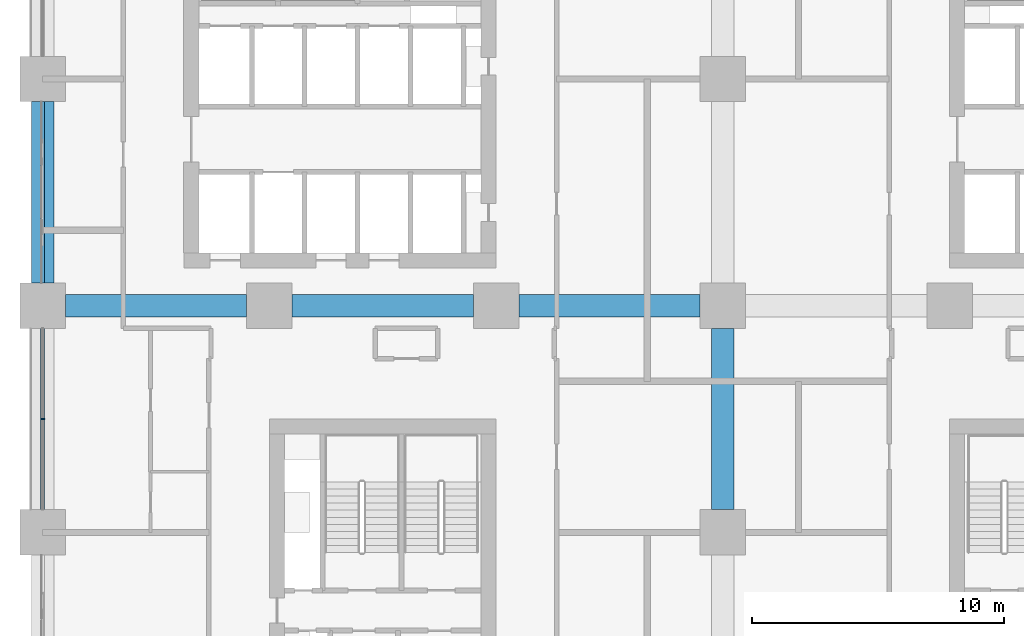
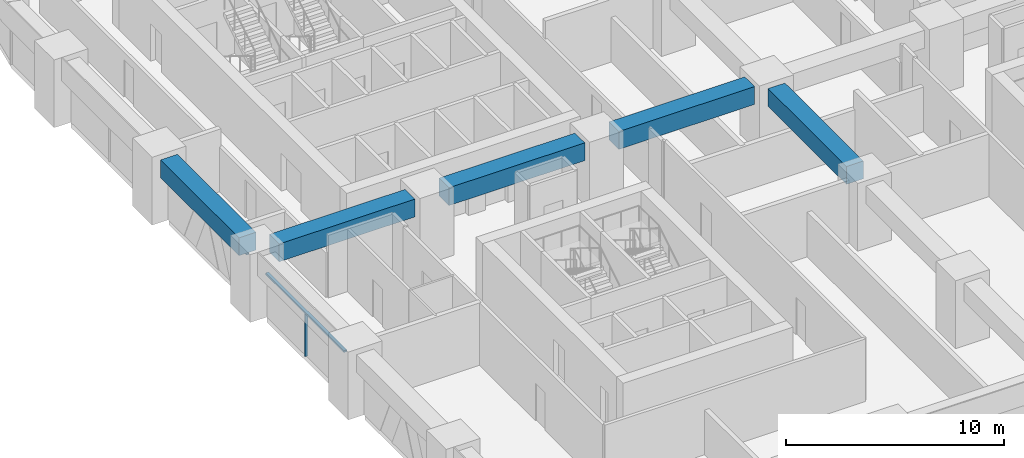
# One storey, part 4 of 21: 5 beams, 3 members, 2 elements without a shape of their own.
"""IFC4 building model written with IfcOpenShell, lengths in metres."""

from ifc_helpers import new_model, si_unit, direction, frame, origin, origin_2d, place, context, subcontext, project, spatial, rectangle, extrude, material, material_profile, profile_set, type_object, element, aggregate, save


model = new_model("IFC4")

# Units and contexts
model_context = context("Model", 3, precision=1e-05, world=origin(), true_north=direction((0.0, 1.0)))
body_context = subcontext(model_context, "Body", "Model", "MODEL_VIEW")
ifc_project = project(units=[si_unit("LENGTHUNIT", "METRE"), si_unit("AREAUNIT", "SQUARE_METRE"), si_unit("VOLUMEUNIT", "CUBIC_METRE"), si_unit("PLANEANGLEUNIT", "RADIAN"), si_unit("MASSUNIT", "GRAM", prefix="KILO")], contexts=[model_context])

# Site, building, storey
site_placement = place(None, origin())
site = spatial("IfcSite", under=ifc_project, at=site_placement, CompositionType="ELEMENT")
building_placement = place(site_placement, origin())
building = spatial("IfcBuilding", under=site, at=building_placement, Name="Tessera Arch", CompositionType="ELEMENT")
storey_placement = place(building_placement, frame((0.0, 0.0, 65.199951171875)))
storey = spatial("IfcBuildingStorey", under=building, at=storey_placement, Name="L14", CompositionType="ELEMENT", Elevation=65.199951171875)

# Curtain wall, members
ifc_material_1 = material(Name="CW1 curtain wall")
curtain_wall_type_1 = type_object("IfcCurtainWallType", Name="CW1 curtain wall", PredefinedType="NOTDEFINED", material=ifc_material_1)
curtain_wall_1_placement = place(storey_placement, origin())
curtain_wall_1 = element("IfcCurtainWall", 1, at=curtain_wall_1_placement, inside=storey, type_object=curtain_wall_type_1, Name="CW1 curtain wall W0.0/3 L14", PredefinedType="NOTDEFINED")
ifc_material_2 = material(Name="Anodised aluminium pale metal", Category="aluminium")
ifc_material_profile_1 = material_profile(ifc_material_2, rectangle(XDim=0.159912109375, YDim=0.06005859375, at=origin_2d()), Name="AL 60x160")
ifc_profile_set_1 = profile_set([ifc_material_profile_1], Name="Anodised aluminium pale metal")
member_type_1 = type_object("IfcMemberType", Name="CW1 mullion", PredefinedType="MULLION", material=ifc_profile_set_1)
member_1_placement = place(storey_placement, frame((0.0, 22.5, 0.0), z_axis=(0.0, 0.0, 1.0), x_axis=(1.0, 0.0, 0.0)))
member_1 = element("IfcMember", 2, at=member_1_placement, type_object=member_type_1, Name="CW1 mullion W0.0/3 1", PredefinedType="MULLION", context=body_context, shape_type="SweptSolid", body=[
    extrude(rectangle(XDim=0.159912109375, YDim=0.06005859375, at=origin_2d()), origin(), (0.0, 0.0, 1.0), 2.400146484375),
])
ifc_material_3 = material(Name="Anodised aluminium pale metal", Category="aluminium")
ifc_material_profile_2 = material_profile(ifc_material_3, rectangle(XDim=0.159912109375, YDim=0.10009765625, at=origin_2d()), Name="AL 160x100")
ifc_profile_set_2 = profile_set([ifc_material_profile_2], Name="Anodised aluminium pale metal")
member_type_2 = type_object("IfcMemberType", Name="CW1 transom", PredefinedType="USERDEFINED", material=ifc_profile_set_2)
member_2_placement = place(storey_placement, frame((0.0, 26.10009765625, 2.449951171875), z_axis=(0.0, -1.0, 0.0), x_axis=(1.0, 0.0, 0.0)))
member_2 = element("IfcMember", 3, at=member_2_placement, type_object=member_type_2, Name="CW1 transom W0.0/3 1.1", ObjectType="TRANSOM", PredefinedType="USERDEFINED", context=body_context, shape_type="SweptSolid", body=[
    extrude(rectangle(XDim=0.159912109375, YDim=0.10009765625, at=origin_2d()), origin(), (0.0, 0.0, 1.0), 7.2001953125),
])
aggregate(curtain_wall_1, [member_1, member_2])

# Curtain wall, member
ifc_material_4 = material(Name="CW3 curtain wall")
curtain_wall_type_2 = type_object("IfcCurtainWallType", Name="CW3 curtain wall", PredefinedType="NOTDEFINED", material=ifc_material_4)
curtain_wall_2_placement = place(storey_placement, origin())
curtain_wall_2 = element("IfcCurtainWall", 4, at=curtain_wall_2_placement, inside=storey, type_object=curtain_wall_type_2, Name="CW3 curtain wall W0.0/2 L14", PredefinedType="NOTDEFINED")
ifc_material_5 = material(Name="Anodised aluminium pale metal", Category="aluminium")
ifc_material_profile_3 = material_profile(ifc_material_5, rectangle(XDim=0.139892578125, YDim=0.10009765625, at=origin_2d()), Name="AL 140x100")
ifc_profile_set_3 = profile_set([ifc_material_profile_3], Name="Anodised aluminium pale metal")
member_type_3 = type_object("IfcMemberType", Name="CW3 transom", PredefinedType="USERDEFINED", material=ifc_profile_set_3)
member_3_placement = place(storey_placement, frame((0.0, 35.10009765625, 2.449951171875), z_axis=(0.0, -1.0, 0.0), x_axis=(1.0, 0.0, 0.0)))
member_3 = element("IfcMember", 5, at=member_3_placement, type_object=member_type_3, Name="CW3 transom W0.0/2 1.1", ObjectType="TRANSOM", PredefinedType="USERDEFINED", context=body_context, shape_type="SweptSolid", body=[
    extrude(rectangle(XDim=0.139892578125, YDim=0.10009765625, at=origin_2d()), origin(), (0.0, 0.0, 1.0), 7.2001953125),
])
aggregate(curtain_wall_2, [member_3])

# Beams
ifc_material_6 = material(Name="Concrete C80/95", Category="concrete")
ifc_material_profile_4 = material_profile(ifc_material_6, rectangle(XDim=0.89990234375, YDim=1.0, at=origin_2d()), Name="RC spandrel beam 900 x 1000 Concrete C80/95")
ifc_profile_set_4 = profile_set([ifc_material_profile_4], Name="Concrete C80/95")
beam_type = type_object("IfcBeamType", Name="RC spandrel beam 900 x 1000 Concrete C80/95", PredefinedType="BEAM", material=ifc_profile_set_4)
for number, where, z_axis, x_axis, name in (
    (6, (0.0, 35.10009765625, 3.0), (0.0, -1.0, 0.0), (1.0, 0.0, 0.0), "Spandrel beam L14 W0.0/2"),
    (7, (27.0, 18.89990234375, 3.0), (0.0, 1.0, 0.0), (-1.0, 0.0, 0.0), "Interface beam L14 I0C4C-C4D"),
    (8, (0.89990234375, 27.0, 3.0), (1.0, 0.0, 0.0), (0.0, 1.0, 0.0), "Interface beam L14 I1C1D-C2D"),
    (9, (9.89990234375, 27.0, 3.0), (1.0, 0.0, 0.0), (0.0, 1.0, 0.0), "Interface beam L14 I1C2D-C3D"),
    (10, (18.89990234375, 27.0, 3.0), (1.0, 0.0, 0.0), (0.0, 1.0, 0.0), "Interface beam L14 I1C3D-C4D"),
):
    element("IfcBeam", number, at=place(storey_placement, frame(where, z_axis=z_axis, x_axis=x_axis)), inside=storey, type_object=beam_type, Name=name, PredefinedType="BEAM", context=body_context, shape_type="SweptSolid", body=[
        extrude(rectangle(XDim=0.89990234375, YDim=1.0, at=origin_2d()), origin(), (0.0, 0.0, 1.0), 7.2001953125),
    ])

save(model, "model.ifc")
